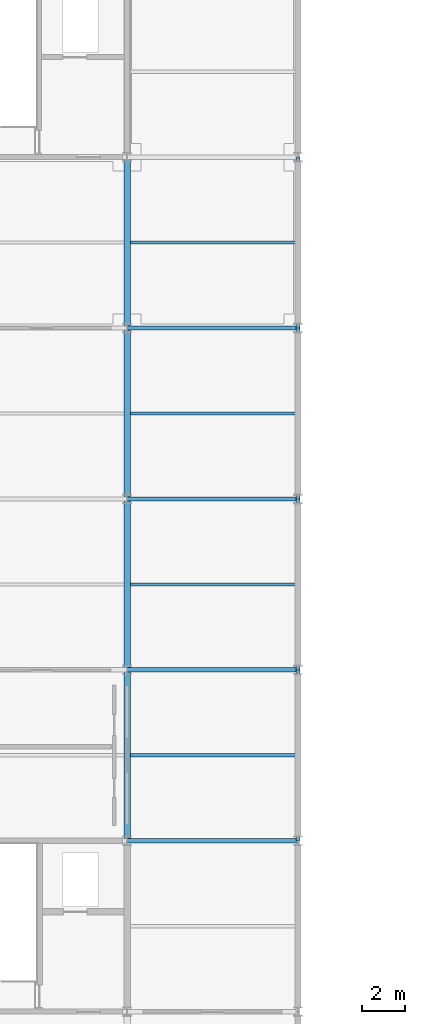
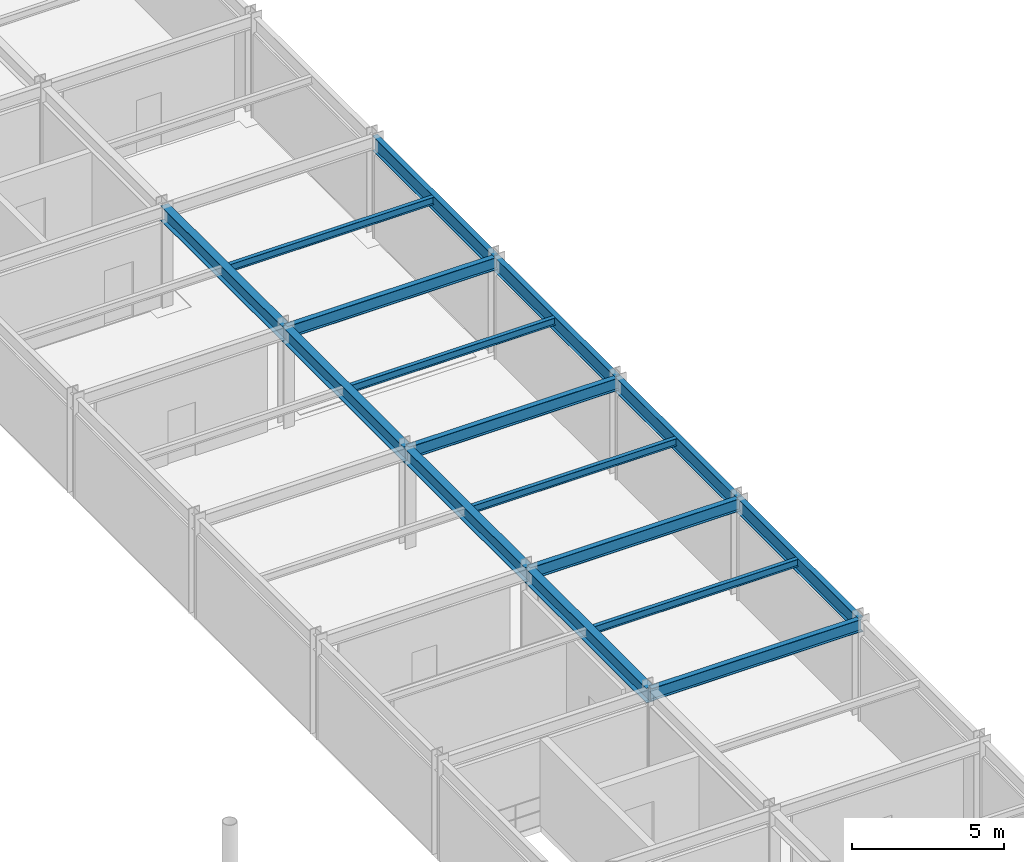
# One storey, part 21 of 54: 16 beams.
"""IFC4 building model written with IfcOpenShell, lengths in metres."""

from ifc_helpers import new_model, si_unit, direction, frame, origin, origin_2d, place, context, subcontext, project, spatial, i_section, extrude, material, material_profile, profile_set, type_object, element, save


model = new_model("IFC4")

# Units and contexts
model_context = context("Model", 3, precision=1e-05, world=origin(), true_north=direction((0.0, 1.0)))
body_context = subcontext(model_context, "Body", "Model", "MODEL_VIEW")
ifc_project = project(units=[si_unit("LENGTHUNIT", "METRE"), si_unit("AREAUNIT", "SQUARE_METRE"), si_unit("VOLUMEUNIT", "CUBIC_METRE"), si_unit("PLANEANGLEUNIT", "RADIAN"), si_unit("MASSUNIT", "GRAM", prefix="KILO")], contexts=[model_context])

# Site, building, storey
site_placement = place(None, origin())
site = spatial("IfcSite", under=ifc_project, at=site_placement, CompositionType="ELEMENT")
building_placement = place(site_placement, origin())
building = spatial("IfcBuilding", under=site, at=building_placement, Name="Haebicheon Civic Stadium", CompositionType="ELEMENT")
storey_placement = place(building_placement, frame((0.0, 0.0, 22.800048828125)))
storey = spatial("IfcBuildingStorey", under=building, at=storey_placement, Name="L06", CompositionType="ELEMENT", Elevation=22.800048828125)

# Beams
ifc_material_1 = material(Name="Steel SM355 (S355)", Category="steel")
ifc_material_profile_1 = material_profile(ifc_material_1, i_section(OverallWidth=0.199951171875, OverallDepth=0.5, WebThickness=0.010009765625, FlangeThickness=0.01611328125, at=origin_2d()), Name="H-500x200x10x16")
ifc_profile_set_1 = profile_set([ifc_material_profile_1], Name="Steel SM355 (S355)")
beam_type_1 = type_object("IfcBeamType", Name="BM-ST-H500", PredefinedType="BEAM", material=ifc_profile_set_1)
for number, where, z_axis, x_axis, name in (
    (1, (152.0, 72.0, 3.72998046875), (1.0, 0.0, 0.0), (0.0, 1.0, 0.0), "L06 beam K/20-21"),
    (2, (152.0, 80.0, 3.72998046875), (1.0, 0.0, 0.0), (0.0, 1.0, 0.0), "L06 beam L/20-21"),
    (3, (152.0, 88.0, 3.72998046875), (1.0, 0.0, 0.0), (0.0, 1.0, 0.0), "L06 beam M/20-21"),
    (4, (152.0, 96.0, 3.72998046875), (1.0, 0.0, 0.0), (0.0, 1.0, 0.0), "L06 beam N/20-21"),
):
    element("IfcBeam", number, at=place(storey_placement, frame(where, z_axis=z_axis, x_axis=x_axis)), inside=storey, type_object=beam_type_1, material=ifc_profile_set_1, Name=name, PredefinedType="BEAM", context=body_context, shape_type="SweptSolid", body=[
        extrude(i_section(OverallWidth=0.199951171875, OverallDepth=0.5, WebThickness=0.010009765625, FlangeThickness=0.01611328125, at=origin_2d()), origin(), (0.0, 0.0, 1.0), 8.0),
    ])
ifc_material_2 = material(Name="Steel SM355 (S355)", Category="steel")
ifc_material_profile_2 = material_profile(ifc_material_2, i_section(OverallWidth=0.300048828125, OverallDepth=0.60009765625, WebThickness=0.011962890625, FlangeThickness=0.02001953125, at=origin_2d()), Name="H-600x300x12x20")
ifc_profile_set_2 = profile_set([ifc_material_profile_2], Name="Steel SM355 (S355)")
beam_type_2 = type_object("IfcBeamType", Name="BM-ST-H600A", PredefinedType="BEAM", material=ifc_profile_set_2)
for number, where, z_axis, x_axis, name in (
    (5, (152.0, 72.0, 3.679931640625), (0.0, 1.0, 0.0), (-1.0, 0.0, 0.0), "L06 girder 20/K-L"),
    (6, (152.0, 80.0, 3.679931640625), (0.0, 1.0, 0.0), (-1.0, 0.0, 0.0), "L06 girder 20/L-M"),
    (7, (152.0, 88.0, 3.679931640625), (0.0, 1.0, 0.0), (-1.0, 0.0, 0.0), "L06 girder 20/M-N"),
    (8, (152.0, 96.0, 3.679931640625), (0.0, 1.0, 0.0), (-1.0, 0.0, 0.0), "L06 girder 20/N-P"),
):
    element("IfcBeam", number, at=place(storey_placement, frame(where, z_axis=z_axis, x_axis=x_axis)), inside=storey, type_object=beam_type_2, material=ifc_profile_set_2, Name=name, PredefinedType="BEAM", context=body_context, shape_type="SweptSolid", body=[
        extrude(i_section(OverallWidth=0.300048828125, OverallDepth=0.60009765625, WebThickness=0.011962890625, FlangeThickness=0.02001953125, at=origin_2d()), origin(), (0.0, 0.0, 1.0), 8.0),
    ])
ifc_material_3 = material(Name="Steel SM355 (S355)", Category="steel")
ifc_material_profile_3 = material_profile(ifc_material_3, i_section(OverallWidth=0.14990234375, OverallDepth=0.300048828125, WebThickness=0.006591796875, FlangeThickness=0.009033203125, at=origin_2d()), Name="H-300x150x6.5x9")
ifc_profile_set_3 = profile_set([ifc_material_profile_3], Name="Steel SM355 (S355)")
beam_type_3 = type_object("IfcBeamType", Name="JST-ST-H300", PredefinedType="JOIST", material=ifc_profile_set_3)
for number, where, z_axis, x_axis, name in (
    (9, (152.14990234375, 76.0, 3.829833984375), (1.0, 0.0, 0.0), (0.0, 1.0, 0.0), "L06 secondary joist 19-09"),
    (10, (152.14990234375, 84.0, 3.829833984375), (1.0, 0.0, 0.0), (0.0, 1.0, 0.0), "L06 secondary joist 19-10"),
    (11, (152.14990234375, 92.0, 3.829833984375), (1.0, 0.0, 0.0), (0.0, 1.0, 0.0), "L06 secondary joist 19-11"),
    (12, (152.14990234375, 100.0, 3.829833984375), (1.0, 0.0, 0.0), (0.0, 1.0, 0.0), "L06 secondary joist 19-12"),
):
    element("IfcBeam", number, at=place(storey_placement, frame(where, z_axis=z_axis, x_axis=x_axis)), inside=storey, type_object=beam_type_3, material=ifc_profile_set_3, Name=name, PredefinedType="JOIST", context=body_context, shape_type="SweptSolid", body=[
        extrude(i_section(OverallWidth=0.14990234375, OverallDepth=0.300048828125, WebThickness=0.006591796875, FlangeThickness=0.009033203125, at=origin_2d()), origin(), (0.0, 0.0, 1.0), 7.75),
    ])
ifc_material_4 = material(Name="Steel SM355 (S355)", Category="steel")
ifc_material_profile_4 = material_profile(ifc_material_4, i_section(OverallWidth=0.199951171875, OverallDepth=0.60009765625, WebThickness=0.010986328125, FlangeThickness=0.01708984375, at=origin_2d()), Name="H-600x200x11x17")
ifc_profile_set_4 = profile_set([ifc_material_profile_4], Name="Steel SM355 (S355)")
beam_type_4 = type_object("IfcBeamType", Name="SPD-ST-H600B", PredefinedType="SPANDREL", material=ifc_profile_set_4)
for number, where, z_axis, x_axis, name in (
    (13, (160.0, 72.0, 3.679931640625), (0.0, 1.0, 0.0), (-1.0, 0.0, 0.0), "L06 girder 21/K-L"),
    (14, (160.0, 80.0, 3.679931640625), (0.0, 1.0, 0.0), (-1.0, 0.0, 0.0), "L06 girder 21/L-M"),
    (15, (160.0, 88.0, 3.679931640625), (0.0, 1.0, 0.0), (-1.0, 0.0, 0.0), "L06 girder 21/M-N"),
    (16, (160.0, 96.0, 3.679931640625), (0.0, 1.0, 0.0), (-1.0, 0.0, 0.0), "L06 girder 21/N-P"),
):
    element("IfcBeam", number, at=place(storey_placement, frame(where, z_axis=z_axis, x_axis=x_axis)), inside=storey, type_object=beam_type_4, material=ifc_profile_set_4, Name=name, PredefinedType="SPANDREL", context=body_context, shape_type="SweptSolid", body=[
        extrude(i_section(OverallWidth=0.199951171875, OverallDepth=0.60009765625, WebThickness=0.010986328125, FlangeThickness=0.01708984375, at=origin_2d()), origin(), (0.0, 0.0, 1.0), 8.0),
    ])

save(model, "model.ifc")
